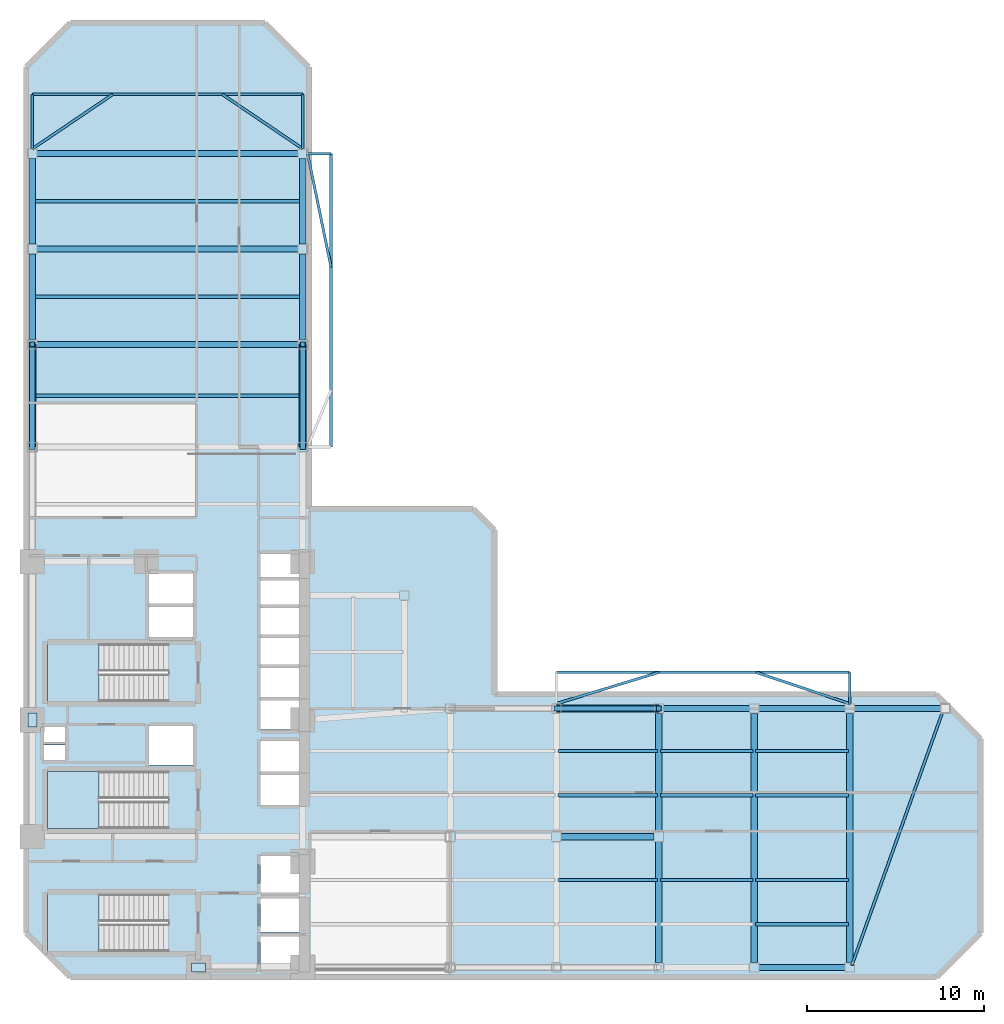
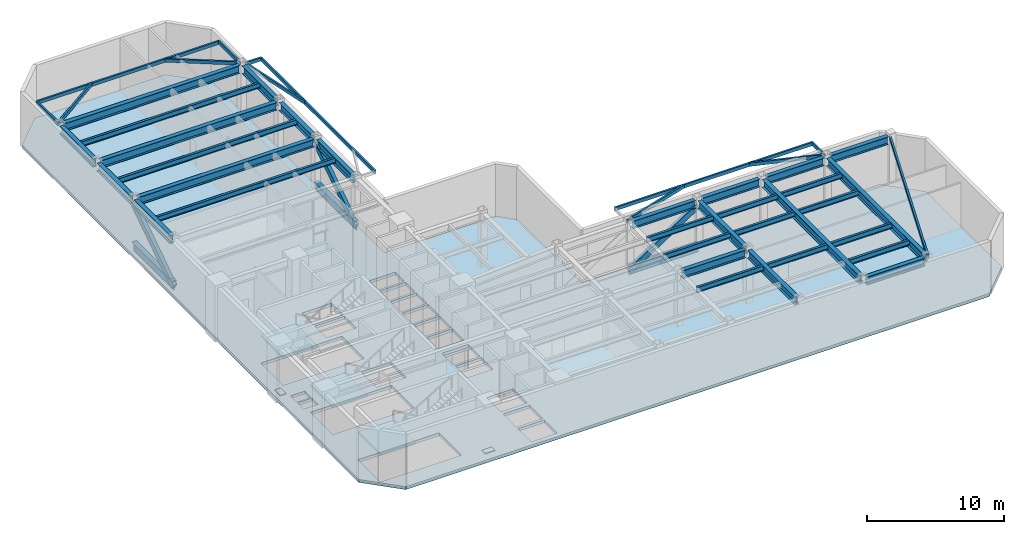
# One storey, part 2 of 7: 45 beams, 6 members, 4 slabs, 2 plates, 3 elements without a shape of their own.
"""IFC4 building model written with IfcOpenShell, lengths in metres."""

import ifcopenshell
import ifcopenshell.guid

model = None  # the IFC model being written
_history = None  # IfcOwnerHistory: only IFC2X3 demands one
_inside = {}  # id of a spatial element -> (the spatial element, [elements in it])
_under = {}  # id of a project, library or spatial element -> (it, [spatial elements below it])
_declared = {}  # id of a project -> (the project, [libraries it declares])
_typed = {}  # id of a type object -> (the type object, [elements of that type])
_made_of = {}  # id of a material, layer set ... -> (it, [elements and type objects made of it])


def new_model(schema):
    """Start an empty IFC model of exactly this schema.

    Asked for "IFC4X3", IfcOpenShell would pick the latest addendum, in which some entities
    have other attributes; the version numbers below select the first issue.
    IFC2X3 requires an IfcOwnerHistory on every rooted entity: one is made here for all.
    """
    global model, _history
    if schema == "IFC4X3":
        model = ifcopenshell.file(schema_version=(4, 3, 0, 0))
    else:
        model = ifcopenshell.file(schema=schema)
    _inside.clear()
    _under.clear()
    _declared.clear()
    _typed.clear()
    _made_of.clear()
    _history = None
    if model.schema == "IFC2X3":
        org = make("IfcOrganization", Name="unknown")
        user = make(
            "IfcPersonAndOrganization",
            ThePerson=make("IfcPerson", FamilyName="unknown"),
            TheOrganization=org,
        )
        app = make(
            "IfcApplication",
            ApplicationDeveloper=org,
            Version="unknown",
            ApplicationFullName="unknown",
            ApplicationIdentifier="unknown",
        )
        _history = make(
            "IfcOwnerHistory",
            OwningUser=user,
            OwningApplication=app,
            ChangeAction="ADDED",
            CreationDate=0,
        )
    return model


def make(cls, **values):
    """One entity of the class cls with the attributes given. An attribute that is None is left unset."""
    return model.create_entity(
        cls, **{name: value for name, value in values.items() if value is not None}
    )


def rooted(cls, **values):
    """An entity with a GlobalId (a new one), such as an element, a storey or a relation."""
    return make(cls, GlobalId=ifcopenshell.guid.new(), OwnerHistory=_history, **values)


def si_unit(unit_type, name, prefix=None):
    """IfcSIUnit, for example si_unit("LENGTHUNIT", "METRE", prefix="MILLI")."""
    return make("IfcSIUnit", UnitType=unit_type, Prefix=prefix, Name=name)


def assignment(units):
    """IfcUnitAssignment: the units of a project."""
    return None if units is None else make("IfcUnitAssignment", Units=units)


def point(xyz):
    """IfcCartesianPoint."""
    return None if xyz is None else make("IfcCartesianPoint", Coordinates=xyz)


def direction(xyz):
    """IfcDirection."""
    return None if xyz is None else make("IfcDirection", DirectionRatios=xyz)


def frame(location, z_axis=None, x_axis=None):
    """IfcAxis2Placement3D, a coordinate frame: its origin and axes. An axis left out is left unset."""
    return make(
        "IfcAxis2Placement3D",
        Location=point(location),
        Axis=direction(z_axis),
        RefDirection=direction(x_axis),
    )


def frame_2d(location, x_axis=None):
    """IfcAxis2Placement2D, a coordinate frame in the plane: its origin and x axis."""
    return make(
        "IfcAxis2Placement2D", Location=point(location), RefDirection=direction(x_axis)
    )


def origin():
    """The frame at (0, 0, 0) with its axes left unset."""
    return frame((0.0, 0.0, 0.0))


def origin_2d():
    """The frame at (0, 0) in the plane with its x axis left unset."""
    return frame_2d((0.0, 0.0))


def place(relative_to, where):
    """IfcLocalPlacement: puts the frame where relative to a parent placement (None: the world)."""
    return make(
        "IfcLocalPlacement", PlacementRelTo=relative_to, RelativePlacement=where
    )


def context(
    kind, dimensions, precision=None, world=None, true_north=None, identifier=None
):
    """IfcGeometricRepresentationContext, for example the 3D "Model" context."""
    return make(
        "IfcGeometricRepresentationContext",
        ContextIdentifier=identifier,
        ContextType=kind,
        CoordinateSpaceDimension=dimensions,
        Precision=precision,
        WorldCoordinateSystem=world,
        TrueNorth=true_north,
    )


def subcontext(parent, identifier, kind, view, scale=None):
    """IfcGeometricRepresentationSubContext, for example "Body" below "Model"."""
    return make(
        "IfcGeometricRepresentationSubContext",
        ContextIdentifier=identifier,
        ContextType=kind,
        ParentContext=parent,
        TargetScale=scale,
        TargetView=view,
    )


def project(units=None, contexts=None):
    """IfcProject with its units and contexts."""
    return rooted(
        "IfcProject",
        Name="project",
        RepresentationContexts=contexts,
        UnitsInContext=assignment(units),
    )


def spatial(cls, under=None, at=None, **own):
    """A site, building, storey or space (cls), placed at a placement, below another one or the project."""
    s = rooted(cls, ObjectPlacement=at, **own)
    if under is not None:
        _under.setdefault(under.id(), (under, []))[1].append(s)
    return s


def polyline(points):
    """IfcPolyline through the points."""
    return make("IfcPolyline", Points=[point(p) for p in points])


def profile(cls, at=None, kind="AREA", **sizes):
    """A parametric profile (cls). Its sizes go by their IFC names, for example OverallWidth=200.0."""
    return make(cls, ProfileType=kind, Position=at, **sizes)


def rectangle(**sizes):
    """IfcRectangleProfileDef."""
    return profile("IfcRectangleProfileDef", **sizes)


def hollow_rectangle(**sizes):
    """IfcRectangleHollowProfileDef."""
    return profile("IfcRectangleHollowProfileDef", **sizes)


def i_section(**sizes):
    """IfcIShapeProfileDef."""
    return profile("IfcIShapeProfileDef", **sizes)


def outline(outer, holes=None, kind="AREA"):
    """IfcArbitraryClosedProfileDef: a profile drawn as a closed curve; with holes, ...WithVoids."""
    if holes is None:
        return make("IfcArbitraryClosedProfileDef", ProfileType=kind, OuterCurve=outer)
    return make(
        "IfcArbitraryProfileDefWithVoids",
        ProfileType=kind,
        OuterCurve=outer,
        InnerCurves=holes,
    )


def extrude(swept, where, along, depth):
    """IfcExtrudedAreaSolid: the profile swept, set in the frame where, extruded along a direction by depth."""
    return make(
        "IfcExtrudedAreaSolid",
        SweptArea=swept,
        Position=where,
        ExtrudedDirection=direction(along),
        Depth=depth,
    )


def shape(context_of_items, identifier, shape_type, items):
    """IfcShapeRepresentation: the items that make up one representation, for example the "Body"."""
    return make(
        "IfcShapeRepresentation",
        ContextOfItems=context_of_items,
        RepresentationIdentifier=identifier,
        RepresentationType=shape_type,
        Items=items,
    )


def material(Name=None, Category=None):
    """IfcMaterial."""
    return make("IfcMaterial", Name=Name, Category=Category)


def layer(
    of_material, thickness, ventilated=None, Name=None, Category=None, Priority=None
):
    """IfcMaterialLayer: one layer of a wall or slab, of a material (None: an air gap)."""
    return make(
        "IfcMaterialLayer",
        Material=of_material,
        LayerThickness=thickness,
        IsVentilated=ventilated,
        Name=Name,
        Category=Category,
        Priority=Priority,
    )


def layer_set(layers, Name=None):
    """IfcMaterialLayerSet."""
    return make("IfcMaterialLayerSet", MaterialLayers=layers, LayerSetName=Name)


def material_profile(
    of_material, cross_section, Name=None, Category=None, Priority=None
):
    """IfcMaterialProfile: a cross section and its material."""
    return make(
        "IfcMaterialProfile",
        Name=Name,
        Material=of_material,
        Profile=cross_section,
        Priority=Priority,
        Category=Category,
    )


def profile_set(profiles, Name=None, composite=None):
    """IfcMaterialProfileSet."""
    return make(
        "IfcMaterialProfileSet",
        Name=Name,
        MaterialProfiles=profiles,
        CompositeProfile=composite,
    )


def made_of(thing, what):
    """Note that an element or type object is made of a material, layer set ...; save() writes the relation."""
    if what is not None:
        _made_of.setdefault(what.id(), (what, []))[1].append(thing)
    return thing


def type_object(cls, material=None, **own):
    """A type object (cls), such as IfcWallType, which elements share."""
    return made_of(rooted(cls, **own), material)


def element(
    cls,
    number,
    at=None,
    inside=None,
    cuts=None,
    type_object=None,
    material=None,
    context=None,
    identifier="Body",
    shape_type=None,
    held_by="IfcProductDefinitionShape",
    body=None,
    shapes=None,
    **own,
):
    """One element of the class cls, such as IfcWall. Its Tag is "e" and its number.

    at: its placement. inside: the storey or other place that contains it. cuts: it is an
    opening in that element (IfcRelVoidsElement). A single representation is given by context,
    identifier, shape_type and body (its items); several are given by shapes. held_by: the class
    of the entity that holds the representations. save() writes the other relations.
    """
    e = rooted(cls, Tag="e%d" % number, ObjectPlacement=at, **own)
    if body is not None:
        shapes = [shape(context, identifier, shape_type, body)]
    if shapes is not None:
        e.Representation = make(held_by, Representations=shapes)
    if inside is not None:
        _inside.setdefault(inside.id(), (inside, []))[1].append(e)
    if cuts is not None:
        rooted(
            "IfcRelVoidsElement", RelatingBuildingElement=cuts, RelatedOpeningElement=e
        )
    if type_object is not None:
        _typed.setdefault(type_object.id(), (type_object, []))[1].append(e)
    return made_of(e, material)


def aggregate(whole, parts):
    """IfcRelAggregates: a whole, such as a stair, and the parts it consists of."""
    return rooted("IfcRelAggregates", RelatingObject=whole, RelatedObjects=parts)


def save(model, path):
    """Write the relations noted so far, then the file.

    IfcRelAggregates (storeys below a building ...), IfcRelContainedInSpatialStructure (elements
    in a storey), IfcRelDefinesByType, IfcRelAssociatesMaterial and IfcRelDeclares: one each for
    every whole, place, type object, material and project.
    """
    for whole, parts in _under.values():
        aggregate(whole, parts)
    for where, things in _inside.values():
        rooted(
            "IfcRelContainedInSpatialStructure",
            RelatedElements=things,
            RelatingStructure=where,
        )
    for kind, things in _typed.values():
        rooted("IfcRelDefinesByType", RelatedObjects=things, RelatingType=kind)
    for what, things in _made_of.values():
        rooted("IfcRelAssociatesMaterial", RelatedObjects=things, RelatingMaterial=what)
    for by, libraries in _declared.values():
        rooted("IfcRelDeclares", RelatingContext=by, RelatedDefinitions=libraries)
    model.write(path)


model = new_model("IFC4")

# Units and contexts
model_context = context("Model", 3, precision=1e-05, world=origin(), true_north=direction((0.0, 1.0)))
body_context = subcontext(model_context, "Body", "Model", "MODEL_VIEW")
ifc_project = project(units=[si_unit("LENGTHUNIT", "METRE"), si_unit("AREAUNIT", "SQUARE_METRE"), si_unit("VOLUMEUNIT", "CUBIC_METRE"), si_unit("PLANEANGLEUNIT", "RADIAN"), si_unit("MASSUNIT", "GRAM", prefix="KILO")], contexts=[model_context])

# Site, building, storey
site_placement = place(None, origin())
site = spatial("IfcSite", under=ifc_project, at=site_placement, CompositionType="ELEMENT")
building_placement = place(site_placement, origin())
building = spatial("IfcBuilding", under=site, at=building_placement, Name="Mawjaban Terraces University", CompositionType="ELEMENT")
storey_placement = place(building_placement, frame((0.0, 0.0, 93.39990234375)))
storey = spatial("IfcBuildingStorey", under=building, at=storey_placement, Name="L22", CompositionType="ELEMENT", Elevation=93.39990234375)

# Beams
ifc_material_1 = material(Name="Steel EN 10210-1 S355J2H", Category="steel")
ifc_material_profile_1 = material_profile(ifc_material_1, hollow_rectangle(XDim=0.14990234375, YDim=0.300048828125, WallThickness=0.012451171875, at=origin_2d()), Name="RHS300X150X12.5")
ifc_profile_set_1 = profile_set([ifc_material_profile_1], Name="Steel EN 10210-1 S355J2H")
beam_type_1 = type_object("IfcBeamType", Name="BalconyCantileverSpandrel_RHS", PredefinedType="SPANDREL", material=ifc_profile_set_1)
beam_1_placement = place(storey_placement, frame((68.60009765625, 15.47509765625, 4.590087890625), z_axis=(0.0, 1.0, 0.0), x_axis=(-1.0, 0.0, 0.0)))
element("IfcBeam", 1, at=beam_1_placement, inside=storey, type_object=beam_type_1, Name="L22 Exterior Outrigger BAL-L23-N.2", PredefinedType="SPANDREL", context=body_context, shape_type="SweptSolid", body=[
    extrude(hollow_rectangle(XDim=0.14990234375, YDim=0.300048828125, WallThickness=0.012451171875, at=origin_2d()), origin(), (0.0, 0.0, 1.0), 1.77490234375),
])
beam_2_placement = place(storey_placement, frame((52.0, 17.25, 4.590087890625), z_axis=(1.0, 0.0, 0.0), x_axis=(0.0, 1.0, 0.0)))
element("IfcBeam", 2, at=beam_2_placement, inside=storey, type_object=beam_type_1, Name="L22 Exterior Edge Spandrel BAL-L23-N", PredefinedType="SPANDREL", context=body_context, shape_type="SweptSolid", body=[
    extrude(hollow_rectangle(XDim=0.14990234375, YDim=0.300048828125, WallThickness=0.012451171875, at=origin_2d()), origin(), (0.0, 0.0, 1.0), 16.60009765625),
])
beam_3_placement = place(storey_placement, frame((52.0, 15.47509765625, 4.590087890625), z_axis=(0.956369663284, 0.292159318097, 0.0), x_axis=(-0.292159318097, 0.956369663284, 0.0)))
element("IfcBeam", 3, at=beam_3_placement, inside=storey, type_object=beam_type_1, Name="L22 Exterior Diagonal Strut BAL-L23-N.1", PredefinedType="SPANDREL", context=body_context, shape_type="SweptSolid", body=[
    extrude(hollow_rectangle(XDim=0.14990234375, YDim=0.300048828125, WallThickness=0.012451171875, at=origin_2d()), origin(), (0.0, 0.0, 1.0), 6.0751953125),
])
beam_4_placement = place(storey_placement, frame((68.60009765625, 15.47509765625, 4.590087890625), z_axis=(-0.948421339881, 0.317012558204, 0.0), x_axis=(-0.317012558204, -0.948421339881, 0.0)))
element("IfcBeam", 4, at=beam_4_placement, inside=storey, type_object=beam_type_1, Name="L22 Exterior Diagonal Strut BAL-L23-N.2", PredefinedType="SPANDREL", context=body_context, shape_type="SweptSolid", body=[
    extrude(hollow_rectangle(XDim=0.14990234375, YDim=0.300048828125, WallThickness=0.012451171875, at=origin_2d()), origin(), (0.0, 0.0, 1.0), 5.598876953125),
])
beam_5_placement = place(storey_placement, frame((37.925048828125, 46.60009765625, 4.590087890625), z_axis=(1.0, 0.0, 0.0), x_axis=(0.0, 1.0, 0.0)))
element("IfcBeam", 5, at=beam_5_placement, inside=storey, type_object=beam_type_1, Name="L22 Exterior Outrigger BAL-L23-E.2", PredefinedType="SPANDREL", context=body_context, shape_type="SweptSolid", body=[
    extrude(hollow_rectangle(XDim=0.14990234375, YDim=0.300048828125, WallThickness=0.012451171875, at=origin_2d()), origin(), (0.0, 0.0, 1.0), 1.324951171875),
])
beam_6_placement = place(storey_placement, frame((39.25, 30.0, 4.590087890625), z_axis=(0.0, 1.0, 0.0), x_axis=(-1.0, 0.0, 0.0)))
element("IfcBeam", 6, at=beam_6_placement, inside=storey, type_object=beam_type_1, Name="L22 Exterior Edge Spandrel BAL-L23-E", PredefinedType="SPANDREL", context=body_context, shape_type="SweptSolid", body=[
    extrude(hollow_rectangle(XDim=0.14990234375, YDim=0.300048828125, WallThickness=0.012451171875, at=origin_2d()), origin(), (0.0, 0.0, 1.0), 16.60009765625),
])
beam_7_placement = place(storey_placement, frame((37.925048828125, 46.60009765625, 4.590087890625), z_axis=(0.202114208884, -0.979361958914, 0.0), x_axis=(0.979361958914, 0.202114208884, 0.0)))
element("IfcBeam", 7, at=beam_7_placement, inside=storey, type_object=beam_type_1, Name="L22 Exterior Diagonal Strut BAL-L23-E.2", PredefinedType="SPANDREL", context=body_context, shape_type="SweptSolid", body=[
    extrude(hollow_rectangle(XDim=0.14990234375, YDim=0.300048828125, WallThickness=0.012451171875, at=origin_2d()), origin(), (0.0, 0.0, 1.0), 6.555419921875),
])
beam_8_placement = place(storey_placement, frame((68.719970703125, 0.669921875, 4.590087890625), z_axis=(0.33711432134, 0.941463719082, 0.0), x_axis=(-0.941463719082, 0.33711432134, 0.0)))
element("IfcBeam", 8, at=beam_8_placement, inside=storey, type_object=beam_type_1, Name="L22 Setback Terrace Diagonal TER-L23-EAST.1", PredefinedType="SPANDREL", context=body_context, shape_type="SweptSolid", body=[
    extrude(hollow_rectangle(XDim=0.14990234375, YDim=0.300048828125, WallThickness=0.012451171875, at=origin_2d()), origin(), (0.0, 0.0, 1.0), 15.30615234375),
])
for number, where, z_axis, x_axis, name in (
    (9, (22.35009765625, 46.875, 4.590087890625), (0.0, 1.0, 0.0), (-1.0, 0.0, 0.0), "L22 Exterior Outrigger TER-L23-NORTH.1"),
    (10, (37.64990234375, 46.875, 4.590087890625), (0.0, 1.0, 0.0), (-1.0, 0.0, 0.0), "L22 Exterior Outrigger TER-L23-NORTH.2"),
):
    element("IfcBeam", number, at=place(storey_placement, frame(where, z_axis=z_axis, x_axis=x_axis)), inside=storey, type_object=beam_type_1, Name=name, PredefinedType="SPANDREL", context=body_context, shape_type="SweptSolid", body=[
        extrude(hollow_rectangle(XDim=0.14990234375, YDim=0.300048828125, WallThickness=0.012451171875, at=origin_2d()), origin(), (0.0, 0.0, 1.0), 3.074951171875),
    ])
beam_9_placement = place(storey_placement, frame((22.35009765625, 49.949951171875, 4.590087890625), z_axis=(1.0, 0.0, 0.0), x_axis=(0.0, 1.0, 0.0)))
element("IfcBeam", 11, at=beam_9_placement, inside=storey, type_object=beam_type_1, Name="L22 Exterior Edge Spandrel TER-L23-NORTH", PredefinedType="SPANDREL", context=body_context, shape_type="SweptSolid", body=[
    extrude(hollow_rectangle(XDim=0.14990234375, YDim=0.300048828125, WallThickness=0.012451171875, at=origin_2d()), origin(), (0.0, 0.0, 1.0), 15.2998046875),
])
for number, where, z_axis, x_axis, name in (
    (12, (22.35009765625, 46.875, 4.590087890625), (0.828524862152, 0.559952277249, 0.0), (-0.559952277249, 0.828524862152, 0.0), "L22 Exterior Diagonal Strut TER-L23-NORTH.1"),
    (13, (37.64990234375, 46.875, 4.590087890625), (-0.828524862152, 0.559952277249, 0.0), (-0.559952277249, -0.828524862152, 0.0), "L22 Exterior Diagonal Strut TER-L23-NORTH.2"),
):
    element("IfcBeam", number, at=place(storey_placement, frame(where, z_axis=z_axis, x_axis=x_axis)), inside=storey, type_object=beam_type_1, Name=name, PredefinedType="SPANDREL", context=body_context, shape_type="SweptSolid", body=[
        extrude(hollow_rectangle(XDim=0.14990234375, YDim=0.300048828125, WallThickness=0.012451171875, at=origin_2d()), origin(), (0.0, 0.0, 1.0), 5.491455078125),
    ])
ifc_material_2 = material(Name="Steel ASTM A572 Grade 50", Category="steel")
ifc_material_profile_2 = material_profile(ifc_material_2, i_section(OverallWidth=0.35498046875, OverallDepth=0.695068359375, WebThickness=0.015380859375, FlangeThickness=0.02490234375, at=origin_2d()), Name="W690X217")
ifc_profile_set_2 = profile_set([ifc_material_profile_2], Name="Steel ASTM A572 Grade 50")
beam_type_2 = type_object("IfcBeamType", Name="Beam_B_W690X217", PredefinedType="BEAM", material=ifc_profile_set_2)
beam_10_placement = place(storey_placement, frame((63.47509765625, 0.550048828125, 4.39306640625), z_axis=(1.0, 0.0, 0.0), x_axis=(0.0, 1.0, 0.0)))
element("IfcBeam", 14, at=beam_10_placement, inside=storey, type_object=beam_type_2, Name="L22 Beam BM-L22-EW-05", PredefinedType="BEAM", context=body_context, shape_type="SweptSolid", body=[
    extrude(i_section(OverallWidth=0.35498046875, OverallDepth=0.695068359375, WebThickness=0.015380859375, FlangeThickness=0.02490234375, at=origin_2d()), origin(), (0.0, 0.0, 1.0), 4.849853515625),
])
for number, where, z_axis, x_axis, name in (
    (15, (52.27490234375, 7.949951171875, 4.39306640625), (1.0, 0.0, 0.0), (0.0, 1.0, 0.0), "L22 Beam BM-L22-EW-08"),
    (16, (52.27490234375, 15.199951171875, 4.39306640625), (1.0, 0.0, 0.0), (0.0, 1.0, 0.0), "L22 Beam BM-L22-EW-10"),
):
    element("IfcBeam", number, at=place(storey_placement, frame(where, z_axis=z_axis, x_axis=x_axis)), inside=storey, type_object=beam_type_2, Name=name, PredefinedType="BEAM", context=body_context, shape_type="SweptSolid", body=[
        extrude(i_section(OverallWidth=0.35498046875, OverallDepth=0.695068359375, WebThickness=0.015380859375, FlangeThickness=0.02490234375, at=origin_2d()), origin(), (0.0, 0.0, 1.0), 5.25),
    ])
beam_11_placement = place(storey_placement, frame((58.074951171875, 15.199951171875, 4.39306640625), z_axis=(1.0, 0.0, 0.0), x_axis=(0.0, 1.0, 0.0)))
element("IfcBeam", 17, at=beam_11_placement, inside=storey, type_object=beam_type_2, Name="L22 Beam BM-L22-EW-11", PredefinedType="BEAM", context=body_context, shape_type="SweptSolid", body=[
    extrude(i_section(OverallWidth=0.35498046875, OverallDepth=0.695068359375, WebThickness=0.015380859375, FlangeThickness=0.02490234375, at=origin_2d()), origin(), (0.0, 0.0, 1.0), 4.85009765625),
])
beam_12_placement = place(storey_placement, frame((63.47509765625, 15.199951171875, 4.39306640625), z_axis=(1.0, 0.0, 0.0), x_axis=(0.0, 1.0, 0.0)))
element("IfcBeam", 18, at=beam_12_placement, inside=storey, type_object=beam_type_2, Name="L22 Beam BM-L22-EW-12", PredefinedType="BEAM", context=body_context, shape_type="SweptSolid", body=[
    extrude(i_section(OverallWidth=0.35498046875, OverallDepth=0.695068359375, WebThickness=0.015380859375, FlangeThickness=0.02490234375, at=origin_2d()), origin(), (0.0, 0.0, 1.0), 4.849853515625),
])
beam_13_placement = place(storey_placement, frame((68.875, 15.199951171875, 4.39306640625), z_axis=(1.0, 0.0, 0.0), x_axis=(0.0, 1.0, 0.0)))
element("IfcBeam", 19, at=beam_13_placement, inside=storey, type_object=beam_type_2, Name="L22 Beam BM-L22-EW-13", PredefinedType="BEAM", context=body_context, shape_type="SweptSolid", body=[
    extrude(i_section(OverallWidth=0.35498046875, OverallDepth=0.695068359375, WebThickness=0.015380859375, FlangeThickness=0.02490234375, at=origin_2d()), origin(), (0.0, 0.0, 1.0), 4.85009765625),
])
for number, where, z_axis, x_axis, name in (
    (20, (22.625, 35.800048828125, 4.39306640625), (1.0, 0.0, 0.0), (0.0, 1.0, 0.0), "L22 Beam BM-L22-EW-16"),
    (21, (22.625, 41.199951171875, 4.39306640625), (1.0, 0.0, 0.0), (0.0, 1.0, 0.0), "L22 Beam BM-L22-EW-17"),
    (22, (22.625, 46.60009765625, 4.39306640625), (1.0, 0.0, 0.0), (0.0, 1.0, 0.0), "L22 Beam BM-L22-EW-18"),
):
    element("IfcBeam", number, at=place(storey_placement, frame(where, z_axis=z_axis, x_axis=x_axis)), inside=storey, type_object=beam_type_2, Name=name, PredefinedType="BEAM", context=body_context, shape_type="SweptSolid", body=[
        extrude(i_section(OverallWidth=0.35498046875, OverallDepth=0.695068359375, WebThickness=0.015380859375, FlangeThickness=0.02490234375, at=origin_2d()), origin(), (0.0, 0.0, 1.0), 14.75),
    ])
beam_14_placement = place(storey_placement, frame((22.35009765625, 30.27490234375, 4.39306640625), z_axis=(0.0, 1.0, 0.0), x_axis=(-1.0, 0.0, 0.0)))
element("IfcBeam", 23, at=beam_14_placement, inside=storey, type_object=beam_type_2, Name="L22 Beam BM-L22-NS-04", PredefinedType="BEAM", context=body_context, shape_type="SweptSolid", body=[
    extrude(i_section(OverallWidth=0.35498046875, OverallDepth=0.695068359375, WebThickness=0.015380859375, FlangeThickness=0.02490234375, at=origin_2d()), origin(), (0.0, 0.0, 1.0), 5.25),
])
beam_15_placement = place(storey_placement, frame((22.35009765625, 36.074951171875, 4.39306640625), z_axis=(0.0, 1.0, 0.0), x_axis=(-1.0, 0.0, 0.0)))
element("IfcBeam", 24, at=beam_15_placement, inside=storey, type_object=beam_type_2, Name="L22 Beam BM-L22-NS-05", PredefinedType="BEAM", context=body_context, shape_type="SweptSolid", body=[
    extrude(i_section(OverallWidth=0.35498046875, OverallDepth=0.695068359375, WebThickness=0.015380859375, FlangeThickness=0.02490234375, at=origin_2d()), origin(), (0.0, 0.0, 1.0), 4.85009765625),
])
beam_16_placement = place(storey_placement, frame((22.35009765625, 41.47509765625, 4.39306640625), z_axis=(0.0, 1.0, 0.0), x_axis=(-1.0, 0.0, 0.0)))
element("IfcBeam", 25, at=beam_16_placement, inside=storey, type_object=beam_type_2, Name="L22 Beam BM-L22-NS-06", PredefinedType="BEAM", context=body_context, shape_type="SweptSolid", body=[
    extrude(i_section(OverallWidth=0.35498046875, OverallDepth=0.695068359375, WebThickness=0.015380859375, FlangeThickness=0.02490234375, at=origin_2d()), origin(), (0.0, 0.0, 1.0), 4.849853515625),
])
beam_17_placement = place(storey_placement, frame((37.64990234375, 30.27490234375, 4.39306640625), z_axis=(0.0, 1.0, 0.0), x_axis=(-1.0, 0.0, 0.0)))
element("IfcBeam", 26, at=beam_17_placement, inside=storey, type_object=beam_type_2, Name="L22 Beam BM-L22-NS-11", PredefinedType="BEAM", context=body_context, shape_type="SweptSolid", body=[
    extrude(i_section(OverallWidth=0.35498046875, OverallDepth=0.695068359375, WebThickness=0.015380859375, FlangeThickness=0.02490234375, at=origin_2d()), origin(), (0.0, 0.0, 1.0), 5.25),
])
beam_18_placement = place(storey_placement, frame((37.64990234375, 36.074951171875, 4.39306640625), z_axis=(0.0, 1.0, 0.0), x_axis=(-1.0, 0.0, 0.0)))
element("IfcBeam", 27, at=beam_18_placement, inside=storey, type_object=beam_type_2, Name="L22 Beam BM-L22-NS-12", PredefinedType="BEAM", context=body_context, shape_type="SweptSolid", body=[
    extrude(i_section(OverallWidth=0.35498046875, OverallDepth=0.695068359375, WebThickness=0.015380859375, FlangeThickness=0.02490234375, at=origin_2d()), origin(), (0.0, 0.0, 1.0), 4.85009765625),
])
beam_19_placement = place(storey_placement, frame((37.64990234375, 41.47509765625, 4.39306640625), z_axis=(0.0, 1.0, 0.0), x_axis=(-1.0, 0.0, 0.0)))
element("IfcBeam", 28, at=beam_19_placement, inside=storey, type_object=beam_type_2, Name="L22 Beam BM-L22-NS-13", PredefinedType="BEAM", context=body_context, shape_type="SweptSolid", body=[
    extrude(i_section(OverallWidth=0.35498046875, OverallDepth=0.695068359375, WebThickness=0.015380859375, FlangeThickness=0.02490234375, at=origin_2d()), origin(), (0.0, 0.0, 1.0), 4.849853515625),
])
beam_20_placement = place(storey_placement, frame((57.800048828125, 0.824951171875, 4.39306640625), z_axis=(0.0, 1.0, 0.0), x_axis=(-1.0, 0.0, 0.0)))
element("IfcBeam", 29, at=beam_20_placement, inside=storey, type_object=beam_type_2, Name="L22 Beam BM-L22-NS-18", PredefinedType="BEAM", context=body_context, shape_type="SweptSolid", body=[
    extrude(i_section(OverallWidth=0.35498046875, OverallDepth=0.695068359375, WebThickness=0.015380859375, FlangeThickness=0.02490234375, at=origin_2d()), origin(), (0.0, 0.0, 1.0), 6.85009765625),
])
beam_21_placement = place(storey_placement, frame((57.800048828125, 8.22509765625, 4.39306640625), z_axis=(0.0, 1.0, 0.0), x_axis=(-1.0, 0.0, 0.0)))
element("IfcBeam", 30, at=beam_21_placement, inside=storey, type_object=beam_type_2, Name="L22 Beam BM-L22-NS-19", PredefinedType="BEAM", context=body_context, shape_type="SweptSolid", body=[
    extrude(i_section(OverallWidth=0.35498046875, OverallDepth=0.695068359375, WebThickness=0.015380859375, FlangeThickness=0.02490234375, at=origin_2d()), origin(), (0.0, 0.0, 1.0), 6.699951171875),
])
for number, where, z_axis, x_axis, name in (
    (31, (63.199951171875, 0.824951171875, 4.39306640625), (0.0, 1.0, 0.0), (-1.0, 0.0, 0.0), "L22 Beam BM-L22-NS-20"),
    (32, (68.60009765625, 0.824951171875, 4.39306640625), (0.0, 1.0, 0.0), (-1.0, 0.0, 0.0), "L22 Beam BM-L22-NS-21"),
):
    element("IfcBeam", number, at=place(storey_placement, frame(where, z_axis=z_axis, x_axis=x_axis)), inside=storey, type_object=beam_type_2, Name=name, PredefinedType="BEAM", context=body_context, shape_type="SweptSolid", body=[
        extrude(i_section(OverallWidth=0.35498046875, OverallDepth=0.695068359375, WebThickness=0.015380859375, FlangeThickness=0.02490234375, at=origin_2d()), origin(), (0.0, 0.0, 1.0), 14.10009765625),
    ])
ifc_material_profile_3 = material_profile(ifc_material_2, i_section(OverallWidth=0.19189453125, OverallDepth=0.462890625, WebThickness=0.010498046875, FlangeThickness=0.017578125, at=origin_2d()), Name="W460X89")
ifc_profile_set_3 = profile_set([ifc_material_profile_3], Name="Steel ASTM A572 Grade 50")
beam_type_3 = type_object("IfcBeamType", Name="Beam_J_W460X89", PredefinedType="JOIST", material=ifc_profile_set_3)
beam_22_placement = place(storey_placement, frame((63.280029296875, 3.0, 4.509033203125), z_axis=(1.0, 0.0, 0.0), x_axis=(0.0, 1.0, 0.0)))
element("IfcBeam", 33, at=beam_22_placement, inside=storey, type_object=beam_type_3, Name="L22 Composite Joist JST-L22-05", PredefinedType="JOIST", context=body_context, shape_type="SweptSolid", body=[
    extrude(i_section(OverallWidth=0.19189453125, OverallDepth=0.462890625, WebThickness=0.010498046875, FlangeThickness=0.017578125, at=origin_2d()), origin(), (0.0, 0.0, 1.0), 5.239990234375),
])
beam_23_placement = place(storey_placement, frame((52.080078125, 5.5, 4.509033203125), z_axis=(1.0, 0.0, 0.0), x_axis=(0.0, 1.0, 0.0)))
element("IfcBeam", 34, at=beam_23_placement, inside=storey, type_object=beam_type_3, Name="L22 Composite Joist JST-L22-08", PredefinedType="JOIST", context=body_context, shape_type="SweptSolid", body=[
    extrude(i_section(OverallWidth=0.19189453125, OverallDepth=0.462890625, WebThickness=0.010498046875, FlangeThickness=0.017578125, at=origin_2d()), origin(), (0.0, 0.0, 1.0), 5.639892578125),
])
beam_24_placement = place(storey_placement, frame((57.8798828125, 5.5, 4.509033203125), z_axis=(1.0, 0.0, 0.0), x_axis=(0.0, 1.0, 0.0)))
element("IfcBeam", 35, at=beam_24_placement, inside=storey, type_object=beam_type_3, Name="L22 Composite Joist JST-L22-09", PredefinedType="JOIST", context=body_context, shape_type="SweptSolid", body=[
    extrude(i_section(OverallWidth=0.19189453125, OverallDepth=0.462890625, WebThickness=0.010498046875, FlangeThickness=0.017578125, at=origin_2d()), origin(), (0.0, 0.0, 1.0), 5.240234375),
])
beam_25_placement = place(storey_placement, frame((63.280029296875, 5.5, 4.509033203125), z_axis=(1.0, 0.0, 0.0), x_axis=(0.0, 1.0, 0.0)))
element("IfcBeam", 36, at=beam_25_placement, inside=storey, type_object=beam_type_3, Name="L22 Composite Joist JST-L22-10", PredefinedType="JOIST", context=body_context, shape_type="SweptSolid", body=[
    extrude(i_section(OverallWidth=0.19189453125, OverallDepth=0.462890625, WebThickness=0.010498046875, FlangeThickness=0.017578125, at=origin_2d()), origin(), (0.0, 0.0, 1.0), 5.239990234375),
])
beam_26_placement = place(storey_placement, frame((52.080078125, 10.300048828125, 4.509033203125), z_axis=(1.0, 0.0, 0.0), x_axis=(0.0, 1.0, 0.0)))
element("IfcBeam", 37, at=beam_26_placement, inside=storey, type_object=beam_type_3, Name="L22 Composite Joist JST-L22-13", PredefinedType="JOIST", context=body_context, shape_type="SweptSolid", body=[
    extrude(i_section(OverallWidth=0.19189453125, OverallDepth=0.462890625, WebThickness=0.010498046875, FlangeThickness=0.017578125, at=origin_2d()), origin(), (0.0, 0.0, 1.0), 5.639892578125),
])
beam_27_placement = place(storey_placement, frame((57.8798828125, 10.300048828125, 4.509033203125), z_axis=(1.0, 0.0, 0.0), x_axis=(0.0, 1.0, 0.0)))
element("IfcBeam", 38, at=beam_27_placement, inside=storey, type_object=beam_type_3, Name="L22 Composite Joist JST-L22-14", PredefinedType="JOIST", context=body_context, shape_type="SweptSolid", body=[
    extrude(i_section(OverallWidth=0.19189453125, OverallDepth=0.462890625, WebThickness=0.010498046875, FlangeThickness=0.017578125, at=origin_2d()), origin(), (0.0, 0.0, 1.0), 5.240234375),
])
beam_28_placement = place(storey_placement, frame((63.280029296875, 10.300048828125, 4.509033203125), z_axis=(1.0, 0.0, 0.0), x_axis=(0.0, 1.0, 0.0)))
element("IfcBeam", 39, at=beam_28_placement, inside=storey, type_object=beam_type_3, Name="L22 Composite Joist JST-L22-15", PredefinedType="JOIST", context=body_context, shape_type="SweptSolid", body=[
    extrude(i_section(OverallWidth=0.19189453125, OverallDepth=0.462890625, WebThickness=0.010498046875, FlangeThickness=0.017578125, at=origin_2d()), origin(), (0.0, 0.0, 1.0), 5.239990234375),
])
beam_29_placement = place(storey_placement, frame((52.080078125, 12.800048828125, 4.509033203125), z_axis=(1.0, 0.0, 0.0), x_axis=(0.0, 1.0, 0.0)))
element("IfcBeam", 40, at=beam_29_placement, inside=storey, type_object=beam_type_3, Name="L22 Composite Joist JST-L22-18", PredefinedType="JOIST", context=body_context, shape_type="SweptSolid", body=[
    extrude(i_section(OverallWidth=0.19189453125, OverallDepth=0.462890625, WebThickness=0.010498046875, FlangeThickness=0.017578125, at=origin_2d()), origin(), (0.0, 0.0, 1.0), 5.639892578125),
])
beam_30_placement = place(storey_placement, frame((57.8798828125, 12.800048828125, 4.509033203125), z_axis=(1.0, 0.0, 0.0), x_axis=(0.0, 1.0, 0.0)))
element("IfcBeam", 41, at=beam_30_placement, inside=storey, type_object=beam_type_3, Name="L22 Composite Joist JST-L22-19", PredefinedType="JOIST", context=body_context, shape_type="SweptSolid", body=[
    extrude(i_section(OverallWidth=0.19189453125, OverallDepth=0.462890625, WebThickness=0.010498046875, FlangeThickness=0.017578125, at=origin_2d()), origin(), (0.0, 0.0, 1.0), 5.240234375),
])
beam_31_placement = place(storey_placement, frame((63.280029296875, 12.800048828125, 4.509033203125), z_axis=(1.0, 0.0, 0.0), x_axis=(0.0, 1.0, 0.0)))
element("IfcBeam", 42, at=beam_31_placement, inside=storey, type_object=beam_type_3, Name="L22 Composite Joist JST-L22-20", PredefinedType="JOIST", context=body_context, shape_type="SweptSolid", body=[
    extrude(i_section(OverallWidth=0.19189453125, OverallDepth=0.462890625, WebThickness=0.010498046875, FlangeThickness=0.017578125, at=origin_2d()), origin(), (0.0, 0.0, 1.0), 5.239990234375),
])
for number, where, z_axis, x_axis, name in (
    (43, (22.429931640625, 32.89990234375, 4.509033203125), (1.0, 0.0, 0.0), (0.0, 1.0, 0.0), "L22 Composite Joist JST-L22-23"),
    (44, (22.429931640625, 38.5, 4.509033203125), (1.0, 0.0, 0.0), (0.0, 1.0, 0.0), "L22 Composite Joist JST-L22-24"),
    (45, (22.429931640625, 43.89990234375, 4.509033203125), (1.0, 0.0, 0.0), (0.0, 1.0, 0.0), "L22 Composite Joist JST-L22-25"),
):
    element("IfcBeam", number, at=place(storey_placement, frame(where, z_axis=z_axis, x_axis=x_axis)), inside=storey, type_object=beam_type_3, Name=name, PredefinedType="JOIST", context=body_context, shape_type="SweptSolid", body=[
        extrude(i_section(OverallWidth=0.19189453125, OverallDepth=0.462890625, WebThickness=0.010498046875, FlangeThickness=0.017578125, at=origin_2d()), origin(), (0.0, 0.0, 1.0), 15.14013671875),
    ])

# Members
ifc_material_3 = material(Name="Steel ASTM A913 Grade 65", Category="steel")
ifc_material_profile_4 = material_profile(ifc_material_3, hollow_rectangle(XDim=0.300048828125, YDim=0.5, WallThickness=0.02001953125, at=origin_2d()), Name="RHS500X300X20")
ifc_profile_set_4 = profile_set([ifc_material_profile_4], Name="Steel ASTM A913 Grade 65")
member_type_1 = type_object("IfcMemberType", Name="Mem_BRACE_RHS500X300X20", PredefinedType="BRACE", material=ifc_profile_set_4)
for number, where, z_axis, x_axis, name in (
    (46, (52.0, 15.199951171875, 0.35009765625), (0.833811754242, 0.0, 0.552048873278), (0.0, 1.0, 0.0), "L22 Belt Truss Brace BE3"),
    (47, (22.35009765625, 30.0, 0.35009765625), (0.0, 0.833811754242, 0.552048873278), (-1.0, 0.0, 0.0), "L22 Belt Truss Brace BW2"),
    (48, (37.64990234375, 30.0, 0.35009765625), (0.0, 0.833811754242, 0.552048873278), (-1.0, 0.0, 0.0), "L22 Belt Truss Brace BN2"),
):
    element("IfcMember", number, at=place(storey_placement, frame(where, z_axis=z_axis, x_axis=x_axis)), inside=storey, type_object=member_type_1, Name=name, PredefinedType="BRACE", context=body_context, shape_type="SweptSolid", body=[
        extrude(hollow_rectangle(XDim=0.300048828125, YDim=0.5, WallThickness=0.02001953125, at=origin_2d()), origin(), (0.0, 0.0, 1.0), 6.9560546875),
    ])
ifc_material_profile_5 = material_profile(ifc_material_3, i_section(OverallWidth=0.39990234375, OverallDepth=1.0, WebThickness=0.02099609375, FlangeThickness=0.033935546875, at=origin_2d()), Name="W1000X371")
ifc_profile_set_5 = profile_set([ifc_material_profile_5], Name="Steel ASTM A913 Grade 65")
member_type_2 = type_object("IfcMemberType", Name="Mem_CHORD_W1000X371", PredefinedType="CHORD", material=ifc_profile_set_5)
for number, where, z_axis, x_axis, name in (
    (49, (52.0, 15.199951171875, 0.35009765625), (1.0, 0.0, 0.0), (0.0, 1.0, 0.0), "L22 Belt Truss Chord BE3"),
    (50, (22.35009765625, 30.0, 0.35009765625), (0.0, 1.0, 0.0), (-1.0, 0.0, 0.0), "L22 Belt Truss Chord BW2"),
    (51, (37.64990234375, 30.0, 0.35009765625), (0.0, 1.0, 0.0), (-1.0, 0.0, 0.0), "L22 Belt Truss Chord BN2"),
):
    element("IfcMember", number, at=place(storey_placement, frame(where, z_axis=z_axis, x_axis=x_axis)), inside=storey, type_object=member_type_2, Name=name, PredefinedType="CHORD", context=body_context, shape_type="SweptSolid", body=[
        extrude(i_section(OverallWidth=0.39990234375, OverallDepth=1.0, WebThickness=0.02099609375, FlangeThickness=0.033935546875, at=origin_2d()), origin(), (0.0, 0.0, 1.0), 5.800048828125),
    ])

# Slab
ifc_material_4 = material(Name="Concrete C40/50", Category="concrete")
ifc_layer_1 = layer(ifc_material_4, 0.260009765625)
ifc_layer_set_1 = layer_set([ifc_layer_1], Name="Concrete C40/50")
slab_type_1 = type_object("IfcSlabType", Name="DiaphragmSlab_260", PredefinedType="FLOOR", material=ifc_layer_set_1)
slab_1_placement = place(storey_placement, frame((0.0, 0.0, -0.260009765625)))
element("IfcSlab", 52, at=slab_1_placement, inside=storey, type_object=slab_type_1, Name="L22 Primary Structural Slab", PredefinedType="FLOOR", context=body_context, shape_type="SweptSolid", body=[
    extrude(outline(polyline([(24.5, 0.0), (73.5, 0.0), (76.0, 2.5), (76.0, 13.5), (73.5, 16.0), (48.5, 16.0), (48.5, 25.300048828125), (47.300048828125, 26.5), (38.0, 26.5), (38.0, 51.5), (35.5, 54.0), (24.5, 54.0), (22.0, 51.5), (22.0, 2.5), (24.5, 0.0)]), holes=[polyline([(30.014892578125, 4.699951171875), (23.199951171875, 4.699951171875), (23.199951171875, 1.449951171875), (30.014892578125, 1.449951171875), (30.014892578125, 4.699951171875)]), polyline([(30.014892578125, 18.85009765625), (23.199951171875, 18.85009765625), (23.199951171875, 15.60009765625), (30.014892578125, 15.60009765625), (30.014892578125, 18.85009765625)]), polyline([(30.014892578125, 11.64990234375), (23.199951171875, 11.64990234375), (23.199951171875, 8.39990234375), (30.014892578125, 8.39990234375), (30.014892578125, 11.64990234375)]), polyline([(35.25, 0.39990234375), (37.449951171875, 0.39990234375), (37.449951171875, 2.300048828125), (35.25, 2.300048828125), (35.25, 0.39990234375)]), polyline([(35.25, 2.550048828125), (37.449951171875, 2.550048828125), (37.449951171875, 4.449951171875), (35.25, 4.449951171875), (35.25, 2.550048828125)]), polyline([(35.25, 4.800048828125), (37.449951171875, 4.800048828125), (37.449951171875, 6.85009765625), (35.25, 6.85009765625), (35.25, 4.800048828125)]), polyline([(35.25, 9.75), (37.449951171875, 9.75), (37.449951171875, 11.449951171875), (35.25, 11.449951171875), (35.25, 9.75)]), polyline([(35.25, 11.64990234375), (37.449951171875, 11.64990234375), (37.449951171875, 13.35009765625), (35.25, 13.35009765625), (35.25, 11.64990234375)]), polyline([(28.949951171875, 12.0), (31.449951171875, 12.0), (31.449951171875, 14.199951171875), (28.949951171875, 14.199951171875), (28.949951171875, 12.0)]), polyline([(35.25, 14.0), (37.449951171875, 14.0), (37.449951171875, 15.64990234375), (35.25, 15.64990234375), (35.25, 14.0)]), polyline([(35.25, 15.85009765625), (37.449951171875, 15.85009765625), (37.449951171875, 17.5), (35.25, 17.5), (35.25, 15.85009765625)]), polyline([(35.25, 17.699951171875), (37.449951171875, 17.699951171875), (37.449951171875, 19.199951171875), (35.25, 19.199951171875), (35.25, 17.699951171875)]), polyline([(35.25, 19.39990234375), (37.449951171875, 19.39990234375), (37.449951171875, 20.89990234375), (35.25, 20.89990234375), (35.25, 19.39990234375)]), polyline([(28.949951171875, 19.25), (31.449951171875, 19.25), (31.449951171875, 20.949951171875), (28.949951171875, 20.949951171875), (28.949951171875, 19.25)]), polyline([(35.25, 21.10009765625), (37.449951171875, 21.10009765625), (37.449951171875, 22.449951171875), (35.25, 22.449951171875), (35.25, 21.10009765625)]), polyline([(35.25, 22.64990234375), (37.449951171875, 22.64990234375), (37.449951171875, 23.949951171875), (35.25, 23.949951171875), (35.25, 22.64990234375)]), polyline([(28.949951171875, 21.14990234375), (31.449951171875, 21.14990234375), (31.449951171875, 22.85009765625), (28.949951171875, 22.85009765625), (28.949951171875, 21.14990234375)]), polyline([(23.0, 12.25), (24.199951171875, 12.25), (24.199951171875, 13.14990234375), (23.0, 13.14990234375), (23.0, 12.25)]), polyline([(23.0, 13.300048828125), (24.199951171875, 13.300048828125), (24.199951171875, 14.179931640625), (23.0, 14.179931640625), (23.0, 13.300048828125)])]), origin(), (0.0, 0.0, 1.0), 0.260009765625),
])

# Plates
ifc_layer_2 = layer(ifc_material_2, 0.050048828125)
ifc_layer_set_2 = layer_set([ifc_layer_2], Name="Steel ASTM A572 Grade 50")
plate_type = type_object("IfcPlateType", Name="OutriggerEmbedPlate_50", PredefinedType="USERDEFINED", material=ifc_layer_set_2)
for number, where, z_axis, x_axis, name in (
    (53, (31.75, 0.550048828125, 0.3251953125), (0.0, 0.0, 1.0), (1.0, 0.0, 0.0), "L22 Outrigger Core Embed Plate OUT-E1"),
    (54, (22.35009765625, 14.550048828125, 0.3251953125), (0.0, 0.0, 1.0), (0.0, 1.0, 0.0), "L22 Outrigger Core Embed Plate OUT-N1"),
):
    element("IfcPlate", number, at=place(storey_placement, frame(where, z_axis=z_axis, x_axis=x_axis)), inside=storey, type_object=plate_type, Name=name, ObjectType="GUSSET_PLATE", PredefinedType="USERDEFINED", context=body_context, shape_type="SweptSolid", body=[
        extrude(rectangle(XDim=0.800048828125, YDim=0.5, at=origin_2d()), origin(), (0.0, 0.0, 1.0), 0.050048828125),
    ])

# Stair, slab
stair_type = type_object("IfcStairType", Name="Stair_Core1550_H50", PredefinedType="HALF_TURN_STAIR", material=ifc_material_4)
stair_1_placement = place(storey_placement, origin())
stair_1 = element("IfcStair", 55, at=stair_1_placement, inside=storey, type_object=stair_type, Name="L22 Core Exit Stair 1", PredefinedType="HALF_TURN_STAIR")
ifc_layer_3 = layer(ifc_material_4, 0.199951171875)
ifc_layer_set_3 = layer_set([ifc_layer_3], Name="Concrete C40/50")
slab_type_2 = type_object("IfcSlabType", Name="StairLandingSlab_200", PredefinedType="LANDING", material=ifc_layer_set_3)
slab_2_placement = place(storey_placement, frame((0.0, 0.0, 2.300048828125)))
slab_2 = element("IfcSlab", 56, at=slab_2_placement, type_object=slab_type_2, Name="ST-1 landing 1", PredefinedType="LANDING", context=body_context, shape_type="SweptSolid", body=[
    extrude(outline(polyline([(26.1298828125, 4.699951171875), (23.199951171875, 4.699951171875), (23.199951171875, 1.449951171875), (26.1298828125, 1.449951171875), (26.1298828125, 4.699951171875)])), origin(), (0.0, 0.0, 1.0), 0.199951171875),
])
aggregate(stair_1, [slab_2])

stair_2_placement = place(storey_placement, origin())
stair_2 = element("IfcStair", 57, at=stair_2_placement, inside=storey, type_object=stair_type, Name="L22 Core Exit Stair 2", PredefinedType="HALF_TURN_STAIR")
slab_3_placement = place(storey_placement, frame((0.0, 0.0, 2.300048828125)))
slab_3 = element("IfcSlab", 58, at=slab_3_placement, type_object=slab_type_2, Name="ST-2 landing 1", PredefinedType="LANDING", context=body_context, shape_type="SweptSolid", body=[
    extrude(outline(polyline([(26.1298828125, 18.85009765625), (23.199951171875, 18.85009765625), (23.199951171875, 15.60009765625), (26.1298828125, 15.60009765625), (26.1298828125, 18.85009765625)])), origin(), (0.0, 0.0, 1.0), 0.199951171875),
])
aggregate(stair_2, [slab_3])

stair_3_placement = place(storey_placement, origin())
stair_3 = element("IfcStair", 59, at=stair_3_placement, inside=storey, type_object=stair_type, Name="L22 Core Exit Stair 3", PredefinedType="HALF_TURN_STAIR")
slab_4_placement = place(storey_placement, frame((0.0, 0.0, 2.300048828125)))
slab_4 = element("IfcSlab", 60, at=slab_4_placement, type_object=slab_type_2, Name="ST-3 landing 1", PredefinedType="LANDING", context=body_context, shape_type="SweptSolid", body=[
    extrude(outline(polyline([(26.1298828125, 11.64990234375), (23.199951171875, 11.64990234375), (23.199951171875, 8.39990234375), (26.1298828125, 8.39990234375), (26.1298828125, 11.64990234375)])), origin(), (0.0, 0.0, 1.0), 0.199951171875),
])
aggregate(stair_3, [slab_4])

save(model, "model.ifc")
